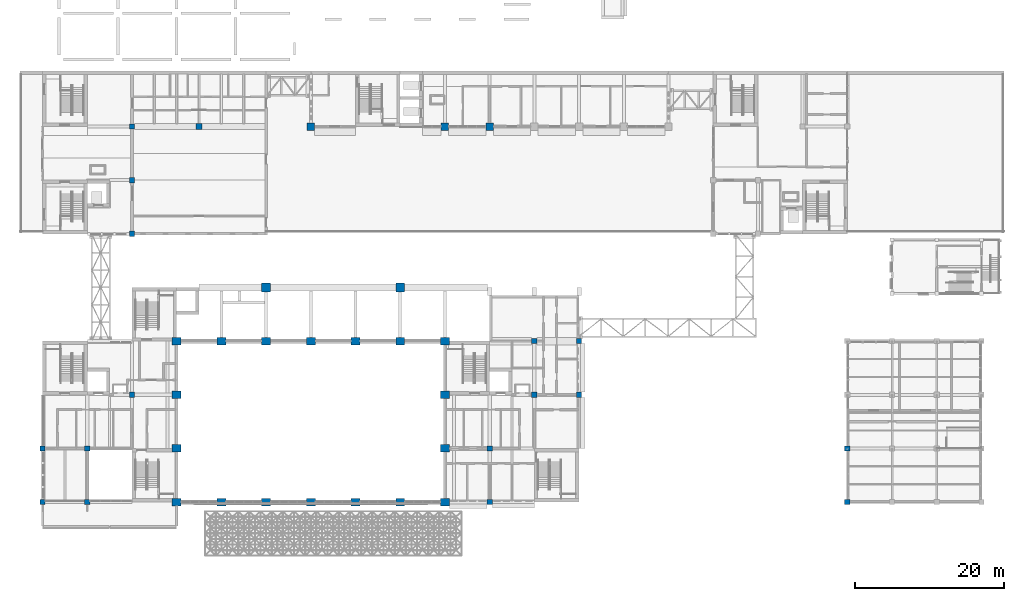
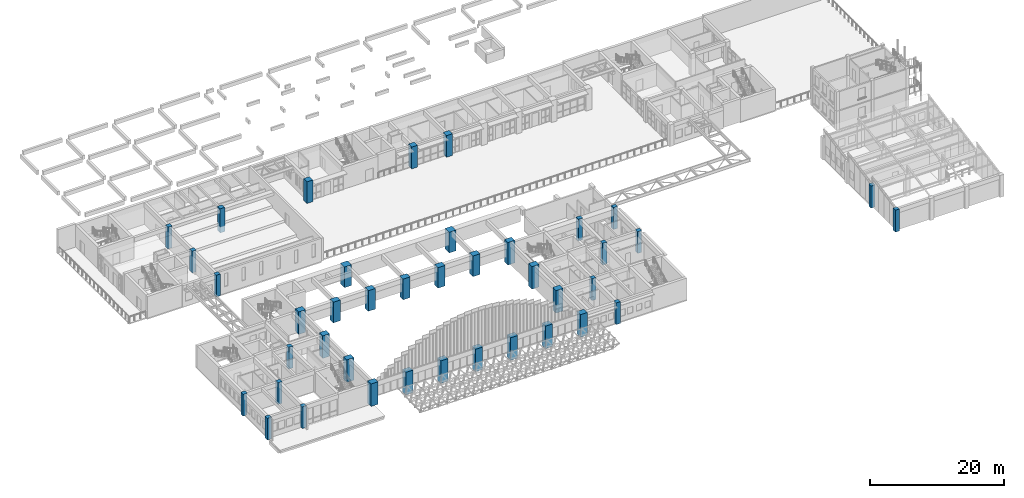
# One storey, part 1 of 103: 40 columns.
"""IFC4 building model written with IfcOpenShell, lengths in metres."""

import ifcopenshell
import ifcopenshell.guid

model = None  # the IFC model being written
_history = None  # IfcOwnerHistory: only IFC2X3 demands one
_inside = {}  # id of a spatial element -> (the spatial element, [elements in it])
_under = {}  # id of a project, library or spatial element -> (it, [spatial elements below it])
_declared = {}  # id of a project -> (the project, [libraries it declares])
_typed = {}  # id of a type object -> (the type object, [elements of that type])
_made_of = {}  # id of a material, layer set ... -> (it, [elements and type objects made of it])


def new_model(schema):
    """Start an empty IFC model of exactly this schema.

    Asked for "IFC4X3", IfcOpenShell would pick the latest addendum, in which some entities
    have other attributes; the version numbers below select the first issue.
    IFC2X3 requires an IfcOwnerHistory on every rooted entity: one is made here for all.
    """
    global model, _history
    if schema == "IFC4X3":
        model = ifcopenshell.file(schema_version=(4, 3, 0, 0))
    else:
        model = ifcopenshell.file(schema=schema)
    _inside.clear()
    _under.clear()
    _declared.clear()
    _typed.clear()
    _made_of.clear()
    _history = None
    if model.schema == "IFC2X3":
        org = make("IfcOrganization", Name="unknown")
        user = make(
            "IfcPersonAndOrganization",
            ThePerson=make("IfcPerson", FamilyName="unknown"),
            TheOrganization=org,
        )
        app = make(
            "IfcApplication",
            ApplicationDeveloper=org,
            Version="unknown",
            ApplicationFullName="unknown",
            ApplicationIdentifier="unknown",
        )
        _history = make(
            "IfcOwnerHistory",
            OwningUser=user,
            OwningApplication=app,
            ChangeAction="ADDED",
            CreationDate=0,
        )
    return model


def make(cls, **values):
    """One entity of the class cls with the attributes given. An attribute that is None is left unset."""
    return model.create_entity(
        cls, **{name: value for name, value in values.items() if value is not None}
    )


def rooted(cls, **values):
    """An entity with a GlobalId (a new one), such as an element, a storey or a relation."""
    return make(cls, GlobalId=ifcopenshell.guid.new(), OwnerHistory=_history, **values)


def si_unit(unit_type, name, prefix=None):
    """IfcSIUnit, for example si_unit("LENGTHUNIT", "METRE", prefix="MILLI")."""
    return make("IfcSIUnit", UnitType=unit_type, Prefix=prefix, Name=name)


def assignment(units):
    """IfcUnitAssignment: the units of a project."""
    return None if units is None else make("IfcUnitAssignment", Units=units)


def point(xyz):
    """IfcCartesianPoint."""
    return None if xyz is None else make("IfcCartesianPoint", Coordinates=xyz)


def direction(xyz):
    """IfcDirection."""
    return None if xyz is None else make("IfcDirection", DirectionRatios=xyz)


def frame(location, z_axis=None, x_axis=None):
    """IfcAxis2Placement3D, a coordinate frame: its origin and axes. An axis left out is left unset."""
    return make(
        "IfcAxis2Placement3D",
        Location=point(location),
        Axis=direction(z_axis),
        RefDirection=direction(x_axis),
    )


def frame_2d(location, x_axis=None):
    """IfcAxis2Placement2D, a coordinate frame in the plane: its origin and x axis."""
    return make(
        "IfcAxis2Placement2D", Location=point(location), RefDirection=direction(x_axis)
    )


def origin():
    """The frame at (0, 0, 0) with its axes left unset."""
    return frame((0.0, 0.0, 0.0))


def origin_2d():
    """The frame at (0, 0) in the plane with its x axis left unset."""
    return frame_2d((0.0, 0.0))


def place(relative_to, where):
    """IfcLocalPlacement: puts the frame where relative to a parent placement (None: the world)."""
    return make(
        "IfcLocalPlacement", PlacementRelTo=relative_to, RelativePlacement=where
    )


def context(
    kind, dimensions, precision=None, world=None, true_north=None, identifier=None
):
    """IfcGeometricRepresentationContext, for example the 3D "Model" context."""
    return make(
        "IfcGeometricRepresentationContext",
        ContextIdentifier=identifier,
        ContextType=kind,
        CoordinateSpaceDimension=dimensions,
        Precision=precision,
        WorldCoordinateSystem=world,
        TrueNorth=true_north,
    )


def subcontext(parent, identifier, kind, view, scale=None):
    """IfcGeometricRepresentationSubContext, for example "Body" below "Model"."""
    return make(
        "IfcGeometricRepresentationSubContext",
        ContextIdentifier=identifier,
        ContextType=kind,
        ParentContext=parent,
        TargetScale=scale,
        TargetView=view,
    )


def project(units=None, contexts=None):
    """IfcProject with its units and contexts."""
    return rooted(
        "IfcProject",
        Name="project",
        RepresentationContexts=contexts,
        UnitsInContext=assignment(units),
    )


def spatial(cls, under=None, at=None, **own):
    """A site, building, storey or space (cls), placed at a placement, below another one or the project."""
    s = rooted(cls, ObjectPlacement=at, **own)
    if under is not None:
        _under.setdefault(under.id(), (under, []))[1].append(s)
    return s


def profile(cls, at=None, kind="AREA", **sizes):
    """A parametric profile (cls). Its sizes go by their IFC names, for example OverallWidth=200.0."""
    return make(cls, ProfileType=kind, Position=at, **sizes)


def rectangle(**sizes):
    """IfcRectangleProfileDef."""
    return profile("IfcRectangleProfileDef", **sizes)


def extrude(swept, where, along, depth):
    """IfcExtrudedAreaSolid: the profile swept, set in the frame where, extruded along a direction by depth."""
    return make(
        "IfcExtrudedAreaSolid",
        SweptArea=swept,
        Position=where,
        ExtrudedDirection=direction(along),
        Depth=depth,
    )


def shape(context_of_items, identifier, shape_type, items):
    """IfcShapeRepresentation: the items that make up one representation, for example the "Body"."""
    return make(
        "IfcShapeRepresentation",
        ContextOfItems=context_of_items,
        RepresentationIdentifier=identifier,
        RepresentationType=shape_type,
        Items=items,
    )


def material(Name=None, Category=None):
    """IfcMaterial."""
    return make("IfcMaterial", Name=Name, Category=Category)


def material_profile(
    of_material, cross_section, Name=None, Category=None, Priority=None
):
    """IfcMaterialProfile: a cross section and its material."""
    return make(
        "IfcMaterialProfile",
        Name=Name,
        Material=of_material,
        Profile=cross_section,
        Priority=Priority,
        Category=Category,
    )


def profile_set(profiles, Name=None, composite=None):
    """IfcMaterialProfileSet."""
    return make(
        "IfcMaterialProfileSet",
        Name=Name,
        MaterialProfiles=profiles,
        CompositeProfile=composite,
    )


def made_of(thing, what):
    """Note that an element or type object is made of a material, layer set ...; save() writes the relation."""
    if what is not None:
        _made_of.setdefault(what.id(), (what, []))[1].append(thing)
    return thing


def type_object(cls, material=None, **own):
    """A type object (cls), such as IfcWallType, which elements share."""
    return made_of(rooted(cls, **own), material)


def element(
    cls,
    number,
    at=None,
    inside=None,
    cuts=None,
    type_object=None,
    material=None,
    context=None,
    identifier="Body",
    shape_type=None,
    held_by="IfcProductDefinitionShape",
    body=None,
    shapes=None,
    **own,
):
    """One element of the class cls, such as IfcWall. Its Tag is "e" and its number.

    at: its placement. inside: the storey or other place that contains it. cuts: it is an
    opening in that element (IfcRelVoidsElement). A single representation is given by context,
    identifier, shape_type and body (its items); several are given by shapes. held_by: the class
    of the entity that holds the representations. save() writes the other relations.
    """
    e = rooted(cls, Tag="e%d" % number, ObjectPlacement=at, **own)
    if body is not None:
        shapes = [shape(context, identifier, shape_type, body)]
    if shapes is not None:
        e.Representation = make(held_by, Representations=shapes)
    if inside is not None:
        _inside.setdefault(inside.id(), (inside, []))[1].append(e)
    if cuts is not None:
        rooted(
            "IfcRelVoidsElement", RelatingBuildingElement=cuts, RelatedOpeningElement=e
        )
    if type_object is not None:
        _typed.setdefault(type_object.id(), (type_object, []))[1].append(e)
    return made_of(e, material)


def aggregate(whole, parts):
    """IfcRelAggregates: a whole, such as a stair, and the parts it consists of."""
    return rooted("IfcRelAggregates", RelatingObject=whole, RelatedObjects=parts)


def save(model, path):
    """Write the relations noted so far, then the file.

    IfcRelAggregates (storeys below a building ...), IfcRelContainedInSpatialStructure (elements
    in a storey), IfcRelDefinesByType, IfcRelAssociatesMaterial and IfcRelDeclares: one each for
    every whole, place, type object, material and project.
    """
    for whole, parts in _under.values():
        aggregate(whole, parts)
    for where, things in _inside.values():
        rooted(
            "IfcRelContainedInSpatialStructure",
            RelatedElements=things,
            RelatingStructure=where,
        )
    for kind, things in _typed.values():
        rooted("IfcRelDefinesByType", RelatedObjects=things, RelatingType=kind)
    for what, things in _made_of.values():
        rooted("IfcRelAssociatesMaterial", RelatedObjects=things, RelatingMaterial=what)
    for by, libraries in _declared.values():
        rooted("IfcRelDeclares", RelatingContext=by, RelatedDefinitions=libraries)
    model.write(path)


model = new_model("IFC4")

# Units and contexts
model_context = context("Model", 3, precision=1e-05, world=origin(), true_north=direction((0.0, 1.0)))
body_context = subcontext(model_context, "Body", "Model", "MODEL_VIEW")
ifc_project = project(units=[si_unit("LENGTHUNIT", "METRE"), si_unit("AREAUNIT", "SQUARE_METRE"), si_unit("VOLUMEUNIT", "CUBIC_METRE"), si_unit("PLANEANGLEUNIT", "RADIAN"), si_unit("MASSUNIT", "GRAM", prefix="KILO")], contexts=[model_context])

# Site, building, storey
site_placement = place(None, origin())
site = spatial("IfcSite", under=ifc_project, at=site_placement, CompositionType="ELEMENT")
building_placement = place(site_placement, origin())
building = spatial("IfcBuilding", under=site, at=building_placement, Name="Laocheng Heights Fire and Rescue Headquarters", CompositionType="ELEMENT")
storey_placement = place(building_placement, frame((0.0, 0.0, 4.199951171875)))
storey = spatial("IfcBuildingStorey", under=building, at=storey_placement, Name="L01", CompositionType="ELEMENT", Elevation=4.199951171875)

# Columns
ifc_material_1 = material(Name="Concrete C50", Category="concrete")
ifc_material_profile_1 = material_profile(ifc_material_1, rectangle(XDim=1.0, YDim=1.0, at=origin_2d()), Name="RC COLUMN 1000x1000 C50 HQ")
ifc_profile_set_1 = profile_set([ifc_material_profile_1], Name="Concrete C50")
column_type_1 = type_object("IfcColumnType", Name="RC COLUMN 1000x1000 C50 HQ", PredefinedType="COLUMN", material=ifc_profile_set_1)
for number, where, z_axis, x_axis, name in (
    (1, (36.0, 50.39990234375, 0.0), (0.0, 0.0, 1.0), (1.0, 0.0, 0.0), "HQ column L01 36/50.4"),
    (2, (54.0, 50.39990234375, 0.0), (0.0, 0.0, 1.0), (1.0, 0.0, 0.0), "HQ column L01 54/50.4"),
    (3, (60.0, 50.39990234375, 0.0), (0.0, 0.0, 1.0), (1.0, 0.0, 0.0), "HQ column L01 60/50.4"),
):
    element("IfcColumn", number, at=place(storey_placement, frame(where, z_axis=z_axis, x_axis=x_axis)), inside=storey, type_object=column_type_1, Name=name, PredefinedType="COLUMN", context=body_context, shape_type="SweptSolid", body=[
        extrude(rectangle(XDim=1.0, YDim=1.0, at=origin_2d()), origin(), (0.0, 0.0, 1.0), 3.949951171875),
    ])
ifc_material_2 = material(Name="Concrete C60", Category="concrete")
ifc_material_profile_2 = material_profile(ifc_material_2, rectangle(XDim=1.199951171875, YDim=1.0, at=origin_2d()), Name="RC COLUMN 1200x1000 BAY PIER")
ifc_profile_set_2 = profile_set([ifc_material_profile_2], Name="Concrete C60")
column_type_2 = type_object("IfcColumnType", Name="RC COLUMN 1200x1000 BAY PIER", PredefinedType="COLUMN", material=ifc_profile_set_2)
for number, where, z_axis, x_axis, name in (
    (4, (18.0, 0.0, 0.0), (0.0, 0.0, 1.0), (1.0, 0.0, 0.0), "Bay pier 4/A"),
    (5, (18.0, 7.199951171875, 0.0), (0.0, 0.0, 1.0), (1.0, 0.0, 0.0), "Bay pier 4/B"),
    (6, (18.0, 14.39990234375, 0.0), (0.0, 0.0, 1.0), (1.0, 0.0, 0.0), "Bay pier 4/C"),
    (7, (18.0, 21.60009765625, 0.0), (0.0, 0.0, 1.0), (1.0, 0.0, 0.0), "Bay pier 4/D"),
    (8, (24.0, 0.0, 0.0), (0.0, 0.0, 1.0), (1.0, 0.0, 0.0), "Bay pier 5/A"),
):
    element("IfcColumn", number, at=place(storey_placement, frame(where, z_axis=z_axis, x_axis=x_axis)), inside=storey, type_object=column_type_2, Name=name, PredefinedType="COLUMN", context=body_context, shape_type="SweptSolid", body=[
        extrude(rectangle(XDim=1.199951171875, YDim=1.0, at=origin_2d()), origin(), (0.0, 0.0, 1.0), 4.090576171875),
    ])
column_1_placement = place(storey_placement, frame((24.0, 21.60009765625, 0.0), z_axis=(0.0, 0.0, 1.0), x_axis=(1.0, 0.0, 0.0)))
element("IfcColumn", 9, at=column_1_placement, inside=storey, type_object=column_type_2, Name="Bay pier 5/D", PredefinedType="COLUMN", context=body_context, shape_type="SweptSolid", body=[
    extrude(rectangle(XDim=1.199951171875, YDim=1.0, at=origin_2d()), origin(), (0.0, 0.0, 1.0), 3.75),
])
column_2_placement = place(storey_placement, frame((30.0, 0.0, 0.0), z_axis=(0.0, 0.0, 1.0), x_axis=(1.0, 0.0, 0.0)))
element("IfcColumn", 10, at=column_2_placement, inside=storey, type_object=column_type_2, Name="Bay pier 6/A", PredefinedType="COLUMN", context=body_context, shape_type="SweptSolid", body=[
    extrude(rectangle(XDim=1.199951171875, YDim=1.0, at=origin_2d()), origin(), (0.0, 0.0, 1.0), 4.090576171875),
])
column_3_placement = place(storey_placement, frame((30.0, 21.60009765625, 0.0), z_axis=(0.0, 0.0, 1.0), x_axis=(1.0, 0.0, 0.0)))
element("IfcColumn", 11, at=column_3_placement, inside=storey, type_object=column_type_2, Name="Bay pier 6/D", PredefinedType="COLUMN", context=body_context, shape_type="SweptSolid", body=[
    extrude(rectangle(XDim=1.199951171875, YDim=1.0, at=origin_2d()), origin(), (0.0, 0.0, 1.0), 3.75),
])
column_4_placement = place(storey_placement, frame((36.0, 0.0, 0.0), z_axis=(0.0, 0.0, 1.0), x_axis=(1.0, 0.0, 0.0)))
element("IfcColumn", 12, at=column_4_placement, inside=storey, type_object=column_type_2, Name="Bay pier 7/A", PredefinedType="COLUMN", context=body_context, shape_type="SweptSolid", body=[
    extrude(rectangle(XDim=1.199951171875, YDim=1.0, at=origin_2d()), origin(), (0.0, 0.0, 1.0), 4.090576171875),
])
column_5_placement = place(storey_placement, frame((36.0, 21.60009765625, 0.0), z_axis=(0.0, 0.0, 1.0), x_axis=(1.0, 0.0, 0.0)))
element("IfcColumn", 13, at=column_5_placement, inside=storey, type_object=column_type_2, Name="Bay pier 7/D", PredefinedType="COLUMN", context=body_context, shape_type="SweptSolid", body=[
    extrude(rectangle(XDim=1.199951171875, YDim=1.0, at=origin_2d()), origin(), (0.0, 0.0, 1.0), 3.75),
])
column_6_placement = place(storey_placement, frame((42.0, 0.0, 0.0), z_axis=(0.0, 0.0, 1.0), x_axis=(1.0, 0.0, 0.0)))
element("IfcColumn", 14, at=column_6_placement, inside=storey, type_object=column_type_2, Name="Bay pier 8/A", PredefinedType="COLUMN", context=body_context, shape_type="SweptSolid", body=[
    extrude(rectangle(XDim=1.199951171875, YDim=1.0, at=origin_2d()), origin(), (0.0, 0.0, 1.0), 4.090576171875),
])
column_7_placement = place(storey_placement, frame((42.0, 21.60009765625, 0.0), z_axis=(0.0, 0.0, 1.0), x_axis=(1.0, 0.0, 0.0)))
element("IfcColumn", 15, at=column_7_placement, inside=storey, type_object=column_type_2, Name="Bay pier 8/D", PredefinedType="COLUMN", context=body_context, shape_type="SweptSolid", body=[
    extrude(rectangle(XDim=1.199951171875, YDim=1.0, at=origin_2d()), origin(), (0.0, 0.0, 1.0), 3.75),
])
column_8_placement = place(storey_placement, frame((48.0, 0.0, 0.0), z_axis=(0.0, 0.0, 1.0), x_axis=(1.0, 0.0, 0.0)))
element("IfcColumn", 16, at=column_8_placement, inside=storey, type_object=column_type_2, Name="Bay pier 9/A", PredefinedType="COLUMN", context=body_context, shape_type="SweptSolid", body=[
    extrude(rectangle(XDim=1.199951171875, YDim=1.0, at=origin_2d()), origin(), (0.0, 0.0, 1.0), 4.090576171875),
])
column_9_placement = place(storey_placement, frame((48.0, 21.60009765625, 0.0), z_axis=(0.0, 0.0, 1.0), x_axis=(1.0, 0.0, 0.0)))
element("IfcColumn", 17, at=column_9_placement, inside=storey, type_object=column_type_2, Name="Bay pier 9/D", PredefinedType="COLUMN", context=body_context, shape_type="SweptSolid", body=[
    extrude(rectangle(XDim=1.199951171875, YDim=1.0, at=origin_2d()), origin(), (0.0, 0.0, 1.0), 3.75),
])
for number, where, z_axis, x_axis, name in (
    (18, (54.0, 0.0, 0.0), (0.0, 0.0, 1.0), (1.0, 0.0, 0.0), "Bay pier 10/A"),
    (19, (54.0, 7.199951171875, 0.0), (0.0, 0.0, 1.0), (1.0, 0.0, 0.0), "Bay pier 10/B"),
    (20, (54.0, 14.39990234375, 0.0), (0.0, 0.0, 1.0), (1.0, 0.0, 0.0), "Bay pier 10/C"),
    (21, (54.0, 21.60009765625, 0.0), (0.0, 0.0, 1.0), (1.0, 0.0, 0.0), "Bay pier 10/D"),
):
    element("IfcColumn", number, at=place(storey_placement, frame(where, z_axis=z_axis, x_axis=x_axis)), inside=storey, type_object=column_type_2, Name=name, PredefinedType="COLUMN", context=body_context, shape_type="SweptSolid", body=[
        extrude(rectangle(XDim=1.199951171875, YDim=1.0, at=origin_2d()), origin(), (0.0, 0.0, 1.0), 4.090576171875),
    ])
ifc_material_3 = material(Name="Concrete C60", Category="concrete")
ifc_material_profile_3 = material_profile(ifc_material_3, rectangle(XDim=1.199951171875, YDim=1.199951171875, at=origin_2d()), Name="RC COLUMN 1200x1200 LANE")
ifc_profile_set_3 = profile_set([ifc_material_profile_3], Name="Concrete C60")
column_type_3 = type_object("IfcColumnType", Name="RC COLUMN 1200x1200 LANE", PredefinedType="COLUMN", material=ifc_profile_set_3)
for number, where, z_axis, x_axis, name in (
    (22, (30.0, 28.800048828125, 0.0), (0.0, 0.0, 1.0), (1.0, 0.0, 0.0), "Lane column"),
    (23, (48.0, 28.800048828125, 0.0), (0.0, 0.0, 1.0), (1.0, 0.0, 0.0), "Lane column"),
):
    element("IfcColumn", number, at=place(storey_placement, frame(where, z_axis=z_axis, x_axis=x_axis)), inside=storey, type_object=column_type_3, Name=name, PredefinedType="COLUMN", context=body_context, shape_type="SweptSolid", body=[
        extrude(rectangle(XDim=1.199951171875, YDim=1.199951171875, at=origin_2d()), origin(), (0.0, 0.0, 1.0), 3.75),
    ])
ifc_material_4 = material(Name="Concrete C50", Category="concrete")
ifc_material_profile_4 = material_profile(ifc_material_4, rectangle(XDim=0.699951171875, YDim=0.699951171875, at=origin_2d()), Name="RC COLUMN 700x700 C50 FOYER")
ifc_profile_set_4 = profile_set([ifc_material_profile_4], Name="Concrete C50")
column_type_4 = type_object("IfcColumnType", Name="RC COLUMN 700x700 C50 FOYER", PredefinedType="COLUMN", material=ifc_profile_set_4)
for number, where, z_axis, x_axis, name in (
    (24, (12.0, 36.0, 0.0), (0.0, 0.0, 1.0), (1.0, 0.0, 0.0), "Foyer column L01 12/36"),
    (25, (12.0, 43.199951171875, 0.0), (0.0, 0.0, 1.0), (1.0, 0.0, 0.0), "Foyer column L01 12/43.2"),
    (26, (12.0, 50.39990234375, 0.0), (0.0, 0.0, 1.0), (1.0, 0.0, 0.0), "Foyer column L01 12/50.4"),
):
    element("IfcColumn", number, at=place(storey_placement, frame(where, z_axis=z_axis, x_axis=x_axis)), inside=storey, type_object=column_type_4, Name=name, PredefinedType="COLUMN", context=body_context, shape_type="SweptSolid", body=[
        extrude(rectangle(XDim=0.699951171875, YDim=0.699951171875, at=origin_2d()), origin(), (0.0, 0.0, 1.0), 3.949951171875),
    ])
ifc_material_5 = material(Name="Concrete C45", Category="concrete")
ifc_material_profile_5 = material_profile(ifc_material_5, rectangle(XDim=0.699951171875, YDim=0.699951171875, at=origin_2d()), Name="RC COLUMN 700x700 PAVILION")
ifc_profile_set_5 = profile_set([ifc_material_profile_5], Name="Concrete C45")
column_type_5 = type_object("IfcColumnType", Name="RC COLUMN 700x700 PAVILION", PredefinedType="COLUMN", material=ifc_profile_set_5)
for number, where, z_axis, x_axis, name in (
    (27, (60.0, 0.0, 0.0), (0.0, 0.0, 1.0), (1.0, 0.0, 0.0), "Pavilion column"),
    (28, (60.0, 7.199951171875, 0.0), (0.0, 0.0, 1.0), (1.0, 0.0, 0.0), "Pavilion column"),
    (29, (66.0, 14.39990234375, 0.0), (0.0, 0.0, 1.0), (1.0, 0.0, 0.0), "Pavilion column"),
    (30, (72.0, 14.39990234375, 0.0), (0.0, 0.0, 1.0), (1.0, 0.0, 0.0), "Pavilion column"),
    (31, (66.0, 21.60009765625, 0.0), (0.0, 0.0, 1.0), (1.0, 0.0, 0.0), "Pavilion column"),
    (32, (72.0, 21.60009765625, 0.0), (0.0, 0.0, 1.0), (1.0, 0.0, 0.0), "Pavilion column"),
    (33, (0.0, 0.0, 0.0), (0.0, 0.0, 1.0), (1.0, 0.0, 0.0), "Pavilion column"),
    (34, (6.0, 0.0, 0.0), (0.0, 0.0, 1.0), (1.0, 0.0, 0.0), "Pavilion column"),
    (35, (0.0, 7.199951171875, 0.0), (0.0, 0.0, 1.0), (1.0, 0.0, 0.0), "Pavilion column"),
    (36, (6.0, 7.199951171875, 0.0), (0.0, 0.0, 1.0), (1.0, 0.0, 0.0), "Pavilion column"),
    (37, (12.0, 14.39990234375, 0.0), (0.0, 0.0, 1.0), (1.0, 0.0, 0.0), "Pavilion column"),
):
    element("IfcColumn", number, at=place(storey_placement, frame(where, z_axis=z_axis, x_axis=x_axis)), inside=storey, type_object=column_type_5, Name=name, PredefinedType="COLUMN", context=body_context, shape_type="SweptSolid", body=[
        extrude(rectangle(XDim=0.699951171875, YDim=0.699951171875, at=origin_2d()), origin(), (0.0, 0.0, 1.0), 3.949951171875),
    ])
ifc_material_6 = material(Name="Concrete C45", Category="concrete")
ifc_material_profile_6 = material_profile(ifc_material_6, rectangle(XDim=0.699951171875, YDim=0.699951171875, at=origin_2d()), Name="RC COLUMN 700x700 WORKSHOP")
ifc_profile_set_6 = profile_set([ifc_material_profile_6], Name="Concrete C45")
column_type_6 = type_object("IfcColumnType", Name="RC COLUMN 700x700 WORKSHOP", PredefinedType="COLUMN", material=ifc_profile_set_6)
for number, where, z_axis, x_axis, name in (
    (38, (108.0, 0.0, 0.0), (0.0, 0.0, 1.0), (1.0, 0.0, 0.0), "Workshop column"),
    (39, (108.0, 7.199951171875, 0.0), (0.0, 0.0, 1.0), (1.0, 0.0, 0.0), "Workshop column"),
):
    element("IfcColumn", number, at=place(storey_placement, frame(where, z_axis=z_axis, x_axis=x_axis)), inside=storey, type_object=column_type_6, Name=name, PredefinedType="COLUMN", context=body_context, shape_type="SweptSolid", body=[
        extrude(rectangle(XDim=0.699951171875, YDim=0.699951171875, at=origin_2d()), origin(), (0.0, 0.0, 1.0), 4.003662109375),
    ])
ifc_material_7 = material(Name="Concrete C50", Category="concrete")
ifc_material_profile_7 = material_profile(ifc_material_7, rectangle(XDim=0.800048828125, YDim=0.800048828125, at=origin_2d()), Name="RC COLUMN 800x800 C50 THEATRE BALCONY")
ifc_profile_set_7 = profile_set([ifc_material_profile_7], Name="Concrete C50")
column_type_7 = type_object("IfcColumnType", Name="RC COLUMN 800x800 C50 THEATRE BALCONY", PredefinedType="COLUMN", material=ifc_profile_set_7)
column_10_placement = place(storey_placement, frame((21.0, 50.39990234375, -0.199951171875), z_axis=(0.0, 0.0, 1.0), x_axis=(1.0, 0.0, 0.0)))
element("IfcColumn", 40, at=column_10_placement, inside=storey, type_object=column_type_7, Name="Theatre balcony column L01 21/50.4", PredefinedType="COLUMN", context=body_context, shape_type="SweptSolid", body=[
    extrude(rectangle(XDim=0.800048828125, YDim=0.800048828125, at=origin_2d()), origin(), (0.0, 0.0, 1.0), 4.39990234375),
])

save(model, "model.ifc")
